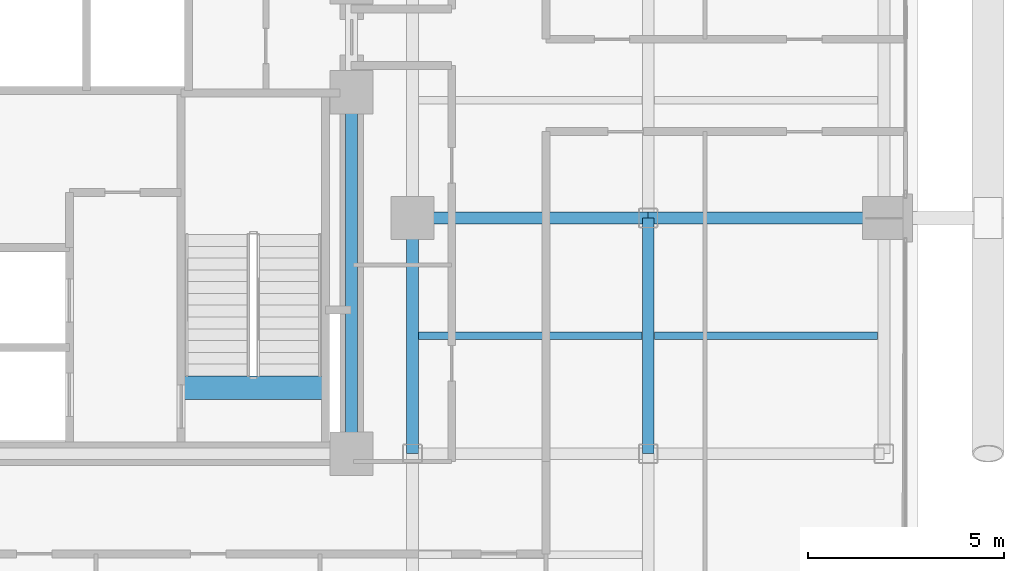
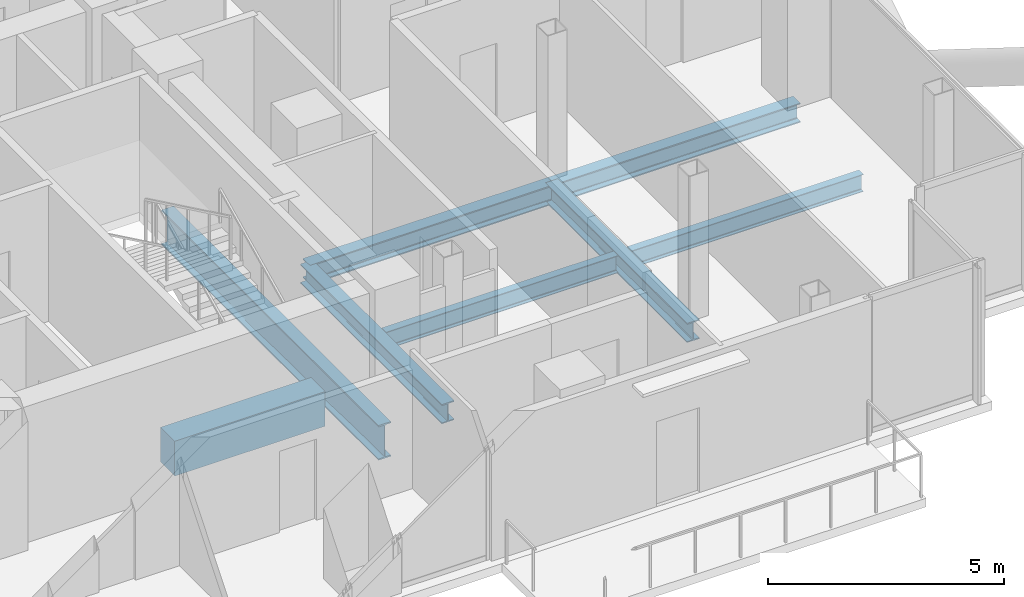
# One storey, part 11 of 28: 8 beams.
"""IFC4 building model written with IfcOpenShell, lengths in metres."""

from ifc_helpers import new_model, si_unit, direction, frame, origin, origin_2d, place, context, subcontext, project, spatial, rectangle, i_section, extrude, material, material_profile, profile_set, type_object, element, save


model = new_model("IFC4")

# Units and contexts
model_context = context("Model", 3, precision=1e-05, world=origin(), true_north=direction((0.0, 1.0)))
body_context = subcontext(model_context, "Body", "Model", "MODEL_VIEW")
ifc_project = project(units=[si_unit("LENGTHUNIT", "METRE"), si_unit("AREAUNIT", "SQUARE_METRE"), si_unit("VOLUMEUNIT", "CUBIC_METRE"), si_unit("PLANEANGLEUNIT", "RADIAN"), si_unit("MASSUNIT", "GRAM", prefix="KILO"), si_unit("THERMODYNAMICTEMPERATUREUNIT", "KELVIN"), si_unit("POWERUNIT", "WATT")], contexts=[model_context])

# Site, building, storey
site_placement = place(None, origin())
site = spatial("IfcSite", under=ifc_project, at=site_placement, CompositionType="ELEMENT")
building_placement = place(site_placement, origin())
building = spatial("IfcBuilding", under=site, at=building_placement, Name="Svarakhadi Broadcast Tower", CompositionType="ELEMENT")
storey_placement = place(building_placement, frame((0.0, 0.0, 138.14990234375)))
storey = spatial("IfcBuildingStorey", under=building, at=storey_placement, Name="L33", CompositionType="ELEMENT", Elevation=138.14990234375)

# Beams
ifc_material_1 = material(Name="Steel S355J2 (IS 2062 E350C)", Category="steel")
ifc_material_profile_1 = material_profile(ifc_material_1, i_section(OverallWidth=0.18994140625, OverallDepth=0.449951171875, WebThickness=0.009521484375, FlangeThickness=0.0146484375, FilletRadius=0.02099609375, at=origin_2d()), Name="NPB 450x190x78")
ifc_profile_set_1 = profile_set([ifc_material_profile_1], Name="Steel S355J2 (IS 2062 E350C)")
beam_type_1 = type_object("IfcBeamType", Name="Beam_NPB450", PredefinedType="BEAM", material=ifc_profile_set_1)
for number, where, z_axis, x_axis, name in (
    (1, (35.31005859375, 9.0, -0.449951171875), (1.0, 0.0, 0.0), (0.0, 1.0, 0.0), "L33 Secondary Composite Beam SB020"),
    (2, (41.31005859375, 9.0, -0.449951171875), (1.0, 0.0, 0.0), (0.0, 1.0, 0.0), "L33 Secondary Composite Beam SB022"),
):
    element("IfcBeam", number, at=place(storey_placement, frame(where, z_axis=z_axis, x_axis=x_axis)), inside=storey, type_object=beam_type_1, Name=name, PredefinedType="BEAM", context=body_context, shape_type="SweptSolid", body=[
        extrude(i_section(OverallWidth=0.18994140625, OverallDepth=0.449951171875, WebThickness=0.009521484375, FlangeThickness=0.0146484375, FilletRadius=0.02099609375, at=origin_2d()), origin(), (0.0, 0.0, 1.0), 5.679931640625),
    ])
ifc_material_2 = material(Name="Concrete C50/60 (IS 456 M60)", Category="concrete")
ifc_material_profile_2 = material_profile(ifc_material_2, rectangle(XDim=0.60009765625, YDim=0.89990234375, at=origin_2d()), Name="RC 600x900")
ifc_profile_set_2 = profile_set([ifc_material_profile_2], Name="Concrete C50/60 (IS 456 M60)")
beam_type_2 = type_object("IfcBeamType", Name="Coupling_RC600", PredefinedType="USERDEFINED", material=ifc_profile_set_2)
beam_1_placement = place(storey_placement, frame((29.260009765625, 7.679931640625, -0.449951171875), z_axis=(1.0, 0.0, 0.0), x_axis=(0.0, 1.0, 0.0)))
element("IfcBeam", 3, at=beam_1_placement, inside=storey, type_object=beam_type_2, Name="L33 Stair ST-02 Landing Throat Trimmer Beam CB-01", ObjectType="GIRDER", PredefinedType="USERDEFINED", context=body_context, shape_type="SweptSolid", body=[
    extrude(rectangle(XDim=0.60009765625, YDim=0.89990234375, at=origin_2d()), origin(), (0.0, 0.0, 1.0), 3.679931640625),
])
ifc_material_profile_3 = material_profile(ifc_material_1, i_section(OverallWidth=0.300048828125, OverallDepth=0.5, WebThickness=0.014404296875, FlangeThickness=0.028076171875, FilletRadius=0.027099609375, at=origin_2d()), Name="WPB 500x300x187")
ifc_profile_set_3 = profile_set([ifc_material_profile_3], Name="Steel S355J2 (IS 2062 E350C)")
beam_type_3 = type_object("IfcBeamType", Name="Girder_WPB500", PredefinedType="USERDEFINED", material=ifc_profile_set_3)
for number, where, z_axis, x_axis, name in (
    (4, (35.14990234375, 12.0, -0.474853515625), (1.0, 0.0, 0.0), (0.0, 1.0, 0.0), "L33 Primary E-W Girder G021"),
    (5, (41.14990234375, 12.0, -0.474853515625), (1.0, 0.0, 0.0), (0.0, 1.0, 0.0), "L33 Primary E-W Girder G022"),
    (6, (35.14990234375, 6.0, -0.474853515625), (0.0, 1.0, 0.0), (-1.0, 0.0, 0.0), "L33 Primary N-S Girder G068"),
    (7, (41.14990234375, 6.0, -0.474853515625), (0.0, 1.0, 0.0), (-1.0, 0.0, 0.0), "L33 Primary N-S Girder G071"),
):
    element("IfcBeam", number, at=place(storey_placement, frame(where, z_axis=z_axis, x_axis=x_axis)), inside=storey, type_object=beam_type_3, Name=name, ObjectType="GIRDER", PredefinedType="USERDEFINED", context=body_context, shape_type="SweptSolid", body=[
        extrude(i_section(OverallWidth=0.300048828125, OverallDepth=0.5, WebThickness=0.014404296875, FlangeThickness=0.028076171875, FilletRadius=0.027099609375, at=origin_2d()), origin(), (0.0, 0.0, 1.0), 6.0),
    ])
ifc_material_3 = material(Name="Steel S460ML (IS 2062 E450BR)", Category="steel")
ifc_material_profile_4 = material_profile(ifc_material_3, i_section(OverallWidth=0.300048828125, OverallDepth=0.89990234375, WebThickness=0.0185546875, FlangeThickness=0.034912109375, FilletRadius=0.030029296875, at=origin_2d()), Name="WPB 900x300x291")
ifc_profile_set_4 = profile_set([ifc_material_profile_4], Name="Steel S460ML (IS 2062 E450BR)")
beam_type_4 = type_object("IfcBeamType", Name="Girder_WPB900", PredefinedType="USERDEFINED", material=ifc_profile_set_4)
beam_2_placement = place(storey_placement, frame((33.60009765625, 6.0, -0.6748046875), z_axis=(0.0, 1.0, 0.0), x_axis=(-1.0, 0.0, 0.0)))
element("IfcBeam", 8, at=beam_2_placement, inside=storey, type_object=beam_type_4, Name="L33 Primary N-S Girder G065", ObjectType="GIRDER", PredefinedType="USERDEFINED", context=body_context, shape_type="SweptSolid", body=[
    extrude(i_section(OverallWidth=0.300048828125, OverallDepth=0.89990234375, WebThickness=0.0185546875, FlangeThickness=0.034912109375, FilletRadius=0.030029296875, at=origin_2d()), origin(), (0.0, 0.0, 1.0), 9.199951171875),
])

save(model, "model.ifc")
